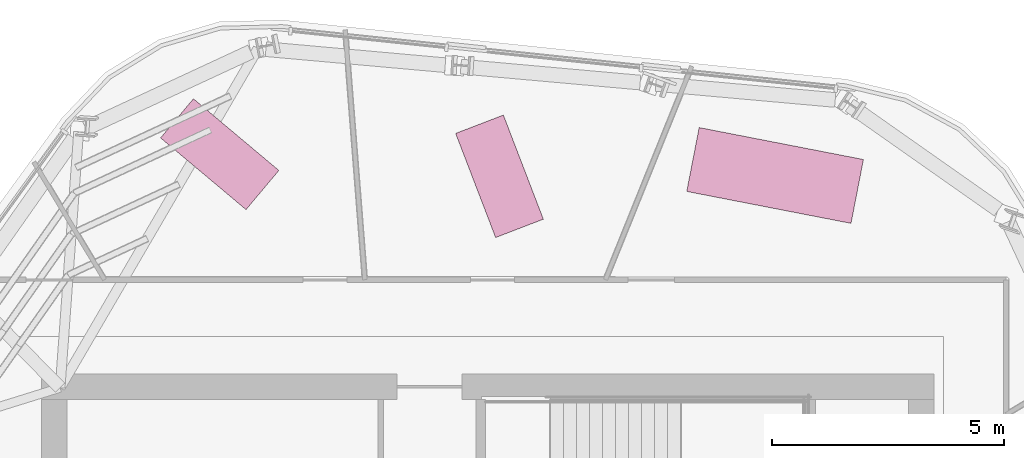
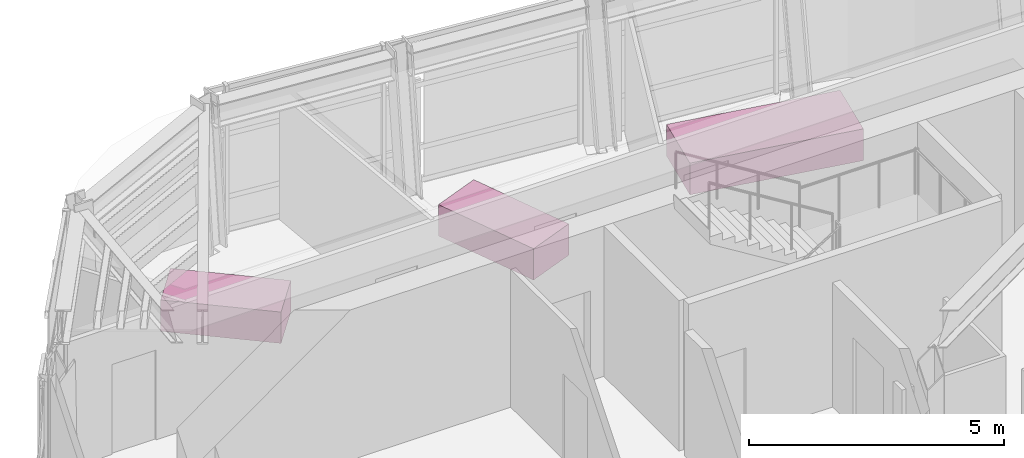
# One storey, part 12 of 12: 3 furniture elements.
"""IFC4 building model written with IfcOpenShell, lengths in metres."""

import ifcopenshell
import ifcopenshell.guid

model = None  # the IFC model being written
_history = None  # IfcOwnerHistory: only IFC2X3 demands one
_inside = {}  # id of a spatial element -> (the spatial element, [elements in it])
_under = {}  # id of a project, library or spatial element -> (it, [spatial elements below it])
_declared = {}  # id of a project -> (the project, [libraries it declares])
_typed = {}  # id of a type object -> (the type object, [elements of that type])
_made_of = {}  # id of a material, layer set ... -> (it, [elements and type objects made of it])


def new_model(schema):
    """Start an empty IFC model of exactly this schema.

    Asked for "IFC4X3", IfcOpenShell would pick the latest addendum, in which some entities
    have other attributes; the version numbers below select the first issue.
    IFC2X3 requires an IfcOwnerHistory on every rooted entity: one is made here for all.
    """
    global model, _history
    if schema == "IFC4X3":
        model = ifcopenshell.file(schema_version=(4, 3, 0, 0))
    else:
        model = ifcopenshell.file(schema=schema)
    _inside.clear()
    _under.clear()
    _declared.clear()
    _typed.clear()
    _made_of.clear()
    _history = None
    if model.schema == "IFC2X3":
        org = make("IfcOrganization", Name="unknown")
        user = make(
            "IfcPersonAndOrganization",
            ThePerson=make("IfcPerson", FamilyName="unknown"),
            TheOrganization=org,
        )
        app = make(
            "IfcApplication",
            ApplicationDeveloper=org,
            Version="unknown",
            ApplicationFullName="unknown",
            ApplicationIdentifier="unknown",
        )
        _history = make(
            "IfcOwnerHistory",
            OwningUser=user,
            OwningApplication=app,
            ChangeAction="ADDED",
            CreationDate=0,
        )
    return model


def make(cls, **values):
    """One entity of the class cls with the attributes given. An attribute that is None is left unset."""
    return model.create_entity(
        cls, **{name: value for name, value in values.items() if value is not None}
    )


def rooted(cls, **values):
    """An entity with a GlobalId (a new one), such as an element, a storey or a relation."""
    return make(cls, GlobalId=ifcopenshell.guid.new(), OwnerHistory=_history, **values)


def si_unit(unit_type, name, prefix=None):
    """IfcSIUnit, for example si_unit("LENGTHUNIT", "METRE", prefix="MILLI")."""
    return make("IfcSIUnit", UnitType=unit_type, Prefix=prefix, Name=name)


def assignment(units):
    """IfcUnitAssignment: the units of a project."""
    return None if units is None else make("IfcUnitAssignment", Units=units)


def point(xyz):
    """IfcCartesianPoint."""
    return None if xyz is None else make("IfcCartesianPoint", Coordinates=xyz)


def direction(xyz):
    """IfcDirection."""
    return None if xyz is None else make("IfcDirection", DirectionRatios=xyz)


def frame(location, z_axis=None, x_axis=None):
    """IfcAxis2Placement3D, a coordinate frame: its origin and axes. An axis left out is left unset."""
    return make(
        "IfcAxis2Placement3D",
        Location=point(location),
        Axis=direction(z_axis),
        RefDirection=direction(x_axis),
    )


def frame_2d(location, x_axis=None):
    """IfcAxis2Placement2D, a coordinate frame in the plane: its origin and x axis."""
    return make(
        "IfcAxis2Placement2D", Location=point(location), RefDirection=direction(x_axis)
    )


def origin():
    """The frame at (0, 0, 0) with its axes left unset."""
    return frame((0.0, 0.0, 0.0))


def origin_2d():
    """The frame at (0, 0) in the plane with its x axis left unset."""
    return frame_2d((0.0, 0.0))


def place(relative_to, where):
    """IfcLocalPlacement: puts the frame where relative to a parent placement (None: the world)."""
    return make(
        "IfcLocalPlacement", PlacementRelTo=relative_to, RelativePlacement=where
    )


def context(
    kind, dimensions, precision=None, world=None, true_north=None, identifier=None
):
    """IfcGeometricRepresentationContext, for example the 3D "Model" context."""
    return make(
        "IfcGeometricRepresentationContext",
        ContextIdentifier=identifier,
        ContextType=kind,
        CoordinateSpaceDimension=dimensions,
        Precision=precision,
        WorldCoordinateSystem=world,
        TrueNorth=true_north,
    )


def subcontext(parent, identifier, kind, view, scale=None):
    """IfcGeometricRepresentationSubContext, for example "Body" below "Model"."""
    return make(
        "IfcGeometricRepresentationSubContext",
        ContextIdentifier=identifier,
        ContextType=kind,
        ParentContext=parent,
        TargetScale=scale,
        TargetView=view,
    )


def project(units=None, contexts=None):
    """IfcProject with its units and contexts."""
    return rooted(
        "IfcProject",
        Name="project",
        RepresentationContexts=contexts,
        UnitsInContext=assignment(units),
    )


def spatial(cls, under=None, at=None, **own):
    """A site, building, storey or space (cls), placed at a placement, below another one or the project."""
    s = rooted(cls, ObjectPlacement=at, **own)
    if under is not None:
        _under.setdefault(under.id(), (under, []))[1].append(s)
    return s


def profile(cls, at=None, kind="AREA", **sizes):
    """A parametric profile (cls). Its sizes go by their IFC names, for example OverallWidth=200.0."""
    return make(cls, ProfileType=kind, Position=at, **sizes)


def rectangle(**sizes):
    """IfcRectangleProfileDef."""
    return profile("IfcRectangleProfileDef", **sizes)


def extrude(swept, where, along, depth):
    """IfcExtrudedAreaSolid: the profile swept, set in the frame where, extruded along a direction by depth."""
    return make(
        "IfcExtrudedAreaSolid",
        SweptArea=swept,
        Position=where,
        ExtrudedDirection=direction(along),
        Depth=depth,
    )


def shape(context_of_items, identifier, shape_type, items):
    """IfcShapeRepresentation: the items that make up one representation, for example the "Body"."""
    return make(
        "IfcShapeRepresentation",
        ContextOfItems=context_of_items,
        RepresentationIdentifier=identifier,
        RepresentationType=shape_type,
        Items=items,
    )


def material(Name=None, Category=None):
    """IfcMaterial."""
    return make("IfcMaterial", Name=Name, Category=Category)


def made_of(thing, what):
    """Note that an element or type object is made of a material, layer set ...; save() writes the relation."""
    if what is not None:
        _made_of.setdefault(what.id(), (what, []))[1].append(thing)
    return thing


def type_object(cls, material=None, **own):
    """A type object (cls), such as IfcWallType, which elements share."""
    return made_of(rooted(cls, **own), material)


def element(
    cls,
    number,
    at=None,
    inside=None,
    cuts=None,
    type_object=None,
    material=None,
    context=None,
    identifier="Body",
    shape_type=None,
    held_by="IfcProductDefinitionShape",
    body=None,
    shapes=None,
    **own,
):
    """One element of the class cls, such as IfcWall. Its Tag is "e" and its number.

    at: its placement. inside: the storey or other place that contains it. cuts: it is an
    opening in that element (IfcRelVoidsElement). A single representation is given by context,
    identifier, shape_type and body (its items); several are given by shapes. held_by: the class
    of the entity that holds the representations. save() writes the other relations.
    """
    e = rooted(cls, Tag="e%d" % number, ObjectPlacement=at, **own)
    if body is not None:
        shapes = [shape(context, identifier, shape_type, body)]
    if shapes is not None:
        e.Representation = make(held_by, Representations=shapes)
    if inside is not None:
        _inside.setdefault(inside.id(), (inside, []))[1].append(e)
    if cuts is not None:
        rooted(
            "IfcRelVoidsElement", RelatingBuildingElement=cuts, RelatedOpeningElement=e
        )
    if type_object is not None:
        _typed.setdefault(type_object.id(), (type_object, []))[1].append(e)
    return made_of(e, material)


def aggregate(whole, parts):
    """IfcRelAggregates: a whole, such as a stair, and the parts it consists of."""
    return rooted("IfcRelAggregates", RelatingObject=whole, RelatedObjects=parts)


def save(model, path):
    """Write the relations noted so far, then the file.

    IfcRelAggregates (storeys below a building ...), IfcRelContainedInSpatialStructure (elements
    in a storey), IfcRelDefinesByType, IfcRelAssociatesMaterial and IfcRelDeclares: one each for
    every whole, place, type object, material and project.
    """
    for whole, parts in _under.values():
        aggregate(whole, parts)
    for where, things in _inside.values():
        rooted(
            "IfcRelContainedInSpatialStructure",
            RelatedElements=things,
            RelatingStructure=where,
        )
    for kind, things in _typed.values():
        rooted("IfcRelDefinesByType", RelatedObjects=things, RelatingType=kind)
    for what, things in _made_of.values():
        rooted("IfcRelAssociatesMaterial", RelatedObjects=things, RelatingMaterial=what)
    for by, libraries in _declared.values():
        rooted("IfcRelDeclares", RelatingContext=by, RelatedDefinitions=libraries)
    model.write(path)


model = new_model("IFC4")

# Units and contexts
model_context = context("Model", 3, precision=1e-05, world=origin(), true_north=direction((0.0, 1.0)))
body_context = subcontext(model_context, "Body", "Model", "MODEL_VIEW")
ifc_project = project(units=[si_unit("LENGTHUNIT", "METRE"), si_unit("AREAUNIT", "SQUARE_METRE"), si_unit("VOLUMEUNIT", "CUBIC_METRE"), si_unit("PLANEANGLEUNIT", "RADIAN"), si_unit("MASSUNIT", "GRAM", prefix="KILO")], contexts=[model_context])

# Site, building, storey
site_placement = place(None, origin())
site = spatial("IfcSite", under=ifc_project, at=site_placement, CompositionType="ELEMENT")
building_placement = place(site_placement, origin())
building = spatial("IfcBuilding", under=site, at=building_placement, Name="Valkerne Bourse Tower", CompositionType="ELEMENT")
storey_placement = place(building_placement, frame((0.0, 0.0, 258.39990234375)))
storey = spatial("IfcBuildingStorey", under=building, at=storey_placement, Name="L65", CompositionType="ELEMENT", Elevation=258.39990234375)

# Furniture
ifc_material = material(Name="Architectural White Oak Timber", Category="wood")
furniture_type_1 = type_object("IfcFurnitureType", Name="FURN-CONF-3600", AssemblyPlace="NOTDEFINED", PredefinedType="TABLE", material=ifc_material)
furniture_placement = place(storey_placement, frame((52.98193359375, 39.968017578125, 0.044921875), z_axis=(0.0, 0.0, 1.0), x_axis=(-0.981627183448, 0.190808995377, 0.0)))
element("IfcFurniture", 1, at=furniture_placement, inside=storey, type_object=furniture_type_1, Name="L65 Suite Worktable 06", PredefinedType="TABLE", context=body_context, shape_type="SweptSolid", body=[
    extrude(rectangle(XDim=3.60009765625, YDim=1.39990234375, at=origin_2d()), origin(), (0.0, 0.0, 1.0), 0.760009765625),
])
furniture_type_2 = type_object("IfcFurnitureType", Name="FURN-DESK-2400", AssemblyPlace="NOTDEFINED", PredefinedType="DESK", material=ifc_material)
for number, where, z_axis, x_axis, name in (
    (2, (47.052978515625, 39.949951171875, 0.045166015625), (0.0, 0.0, 1.0), (-0.358367949545, 0.933580426497, 0.0), "L65 Suite Worktable 04"),
    (3, (41.033935546875, 40.426025390625, 0.045166015625), (0.0, 0.0, 1.0), (-0.766044443119, 0.642787609687, 0.0), "L65 Suite Worktable 05"),
):
    element("IfcFurniture", number, at=place(storey_placement, frame(where, z_axis=z_axis, x_axis=x_axis)), inside=storey, type_object=furniture_type_2, Name=name, PredefinedType="DESK", context=body_context, shape_type="SweptSolid", body=[
        extrude(rectangle(XDim=2.39990234375, YDim=1.10009765625, at=origin_2d()), origin(), (0.0, 0.0, 1.0), 0.75),
    ])

save(model, "model.ifc")
